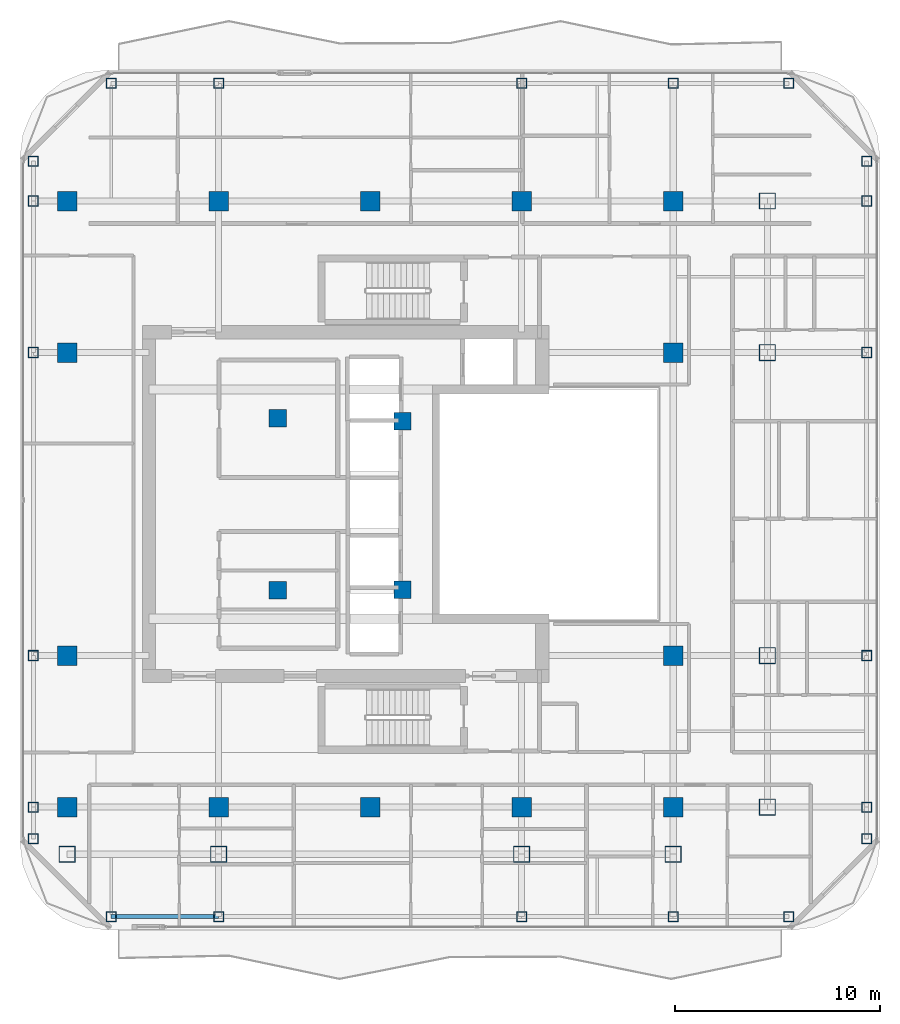
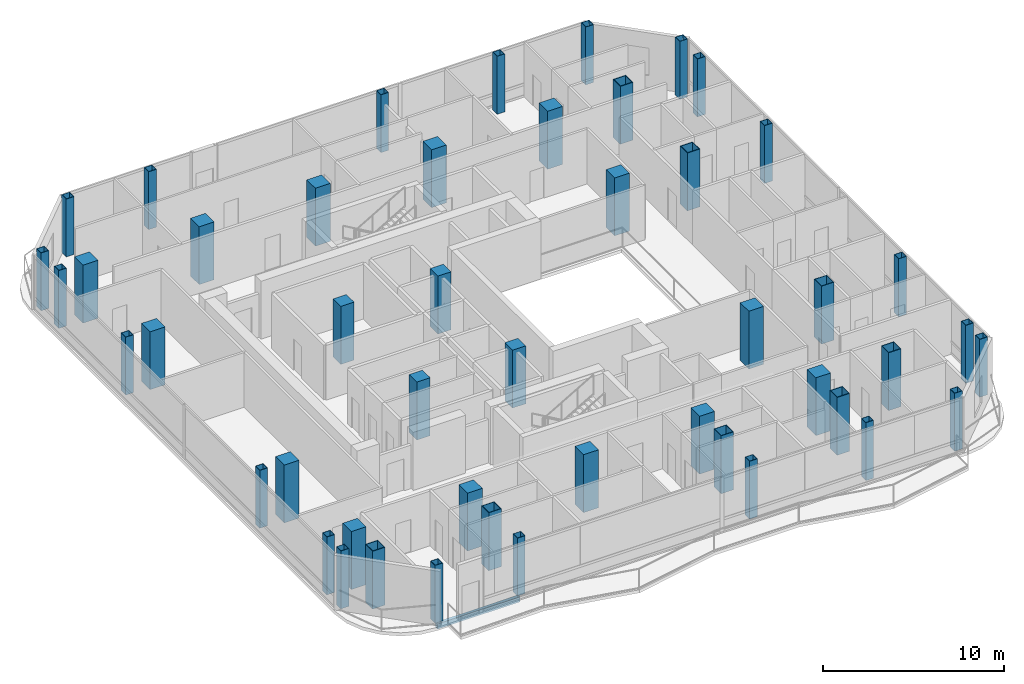
# One storey, part 1 of 24: 48 columns, 1 beam.
"""IFC4 building model written with IfcOpenShell, lengths in metres."""

import ifcopenshell
import ifcopenshell.guid

model = None  # the IFC model being written
_history = None  # IfcOwnerHistory: only IFC2X3 demands one
_inside = {}  # id of a spatial element -> (the spatial element, [elements in it])
_under = {}  # id of a project, library or spatial element -> (it, [spatial elements below it])
_declared = {}  # id of a project -> (the project, [libraries it declares])
_typed = {}  # id of a type object -> (the type object, [elements of that type])
_made_of = {}  # id of a material, layer set ... -> (it, [elements and type objects made of it])


def new_model(schema):
    """Start an empty IFC model of exactly this schema.

    Asked for "IFC4X3", IfcOpenShell would pick the latest addendum, in which some entities
    have other attributes; the version numbers below select the first issue.
    IFC2X3 requires an IfcOwnerHistory on every rooted entity: one is made here for all.
    """
    global model, _history
    if schema == "IFC4X3":
        model = ifcopenshell.file(schema_version=(4, 3, 0, 0))
    else:
        model = ifcopenshell.file(schema=schema)
    _inside.clear()
    _under.clear()
    _declared.clear()
    _typed.clear()
    _made_of.clear()
    _history = None
    if model.schema == "IFC2X3":
        org = make("IfcOrganization", Name="unknown")
        user = make(
            "IfcPersonAndOrganization",
            ThePerson=make("IfcPerson", FamilyName="unknown"),
            TheOrganization=org,
        )
        app = make(
            "IfcApplication",
            ApplicationDeveloper=org,
            Version="unknown",
            ApplicationFullName="unknown",
            ApplicationIdentifier="unknown",
        )
        _history = make(
            "IfcOwnerHistory",
            OwningUser=user,
            OwningApplication=app,
            ChangeAction="ADDED",
            CreationDate=0,
        )
    return model


def make(cls, **values):
    """One entity of the class cls with the attributes given. An attribute that is None is left unset."""
    return model.create_entity(
        cls, **{name: value for name, value in values.items() if value is not None}
    )


def rooted(cls, **values):
    """An entity with a GlobalId (a new one), such as an element, a storey or a relation."""
    return make(cls, GlobalId=ifcopenshell.guid.new(), OwnerHistory=_history, **values)


def si_unit(unit_type, name, prefix=None):
    """IfcSIUnit, for example si_unit("LENGTHUNIT", "METRE", prefix="MILLI")."""
    return make("IfcSIUnit", UnitType=unit_type, Prefix=prefix, Name=name)


def assignment(units):
    """IfcUnitAssignment: the units of a project."""
    return None if units is None else make("IfcUnitAssignment", Units=units)


def point(xyz):
    """IfcCartesianPoint."""
    return None if xyz is None else make("IfcCartesianPoint", Coordinates=xyz)


def direction(xyz):
    """IfcDirection."""
    return None if xyz is None else make("IfcDirection", DirectionRatios=xyz)


def frame(location, z_axis=None, x_axis=None):
    """IfcAxis2Placement3D, a coordinate frame: its origin and axes. An axis left out is left unset."""
    return make(
        "IfcAxis2Placement3D",
        Location=point(location),
        Axis=direction(z_axis),
        RefDirection=direction(x_axis),
    )


def frame_2d(location, x_axis=None):
    """IfcAxis2Placement2D, a coordinate frame in the plane: its origin and x axis."""
    return make(
        "IfcAxis2Placement2D", Location=point(location), RefDirection=direction(x_axis)
    )


def origin():
    """The frame at (0, 0, 0) with its axes left unset."""
    return frame((0.0, 0.0, 0.0))


def origin_2d():
    """The frame at (0, 0) in the plane with its x axis left unset."""
    return frame_2d((0.0, 0.0))


def place(relative_to, where):
    """IfcLocalPlacement: puts the frame where relative to a parent placement (None: the world)."""
    return make(
        "IfcLocalPlacement", PlacementRelTo=relative_to, RelativePlacement=where
    )


def context(
    kind, dimensions, precision=None, world=None, true_north=None, identifier=None
):
    """IfcGeometricRepresentationContext, for example the 3D "Model" context."""
    return make(
        "IfcGeometricRepresentationContext",
        ContextIdentifier=identifier,
        ContextType=kind,
        CoordinateSpaceDimension=dimensions,
        Precision=precision,
        WorldCoordinateSystem=world,
        TrueNorth=true_north,
    )


def subcontext(parent, identifier, kind, view, scale=None):
    """IfcGeometricRepresentationSubContext, for example "Body" below "Model"."""
    return make(
        "IfcGeometricRepresentationSubContext",
        ContextIdentifier=identifier,
        ContextType=kind,
        ParentContext=parent,
        TargetScale=scale,
        TargetView=view,
    )


def project(units=None, contexts=None):
    """IfcProject with its units and contexts."""
    return rooted(
        "IfcProject",
        Name="project",
        RepresentationContexts=contexts,
        UnitsInContext=assignment(units),
    )


def spatial(cls, under=None, at=None, **own):
    """A site, building, storey or space (cls), placed at a placement, below another one or the project."""
    s = rooted(cls, ObjectPlacement=at, **own)
    if under is not None:
        _under.setdefault(under.id(), (under, []))[1].append(s)
    return s


def profile(cls, at=None, kind="AREA", **sizes):
    """A parametric profile (cls). Its sizes go by their IFC names, for example OverallWidth=200.0."""
    return make(cls, ProfileType=kind, Position=at, **sizes)


def rectangle(**sizes):
    """IfcRectangleProfileDef."""
    return profile("IfcRectangleProfileDef", **sizes)


def hollow_rectangle(**sizes):
    """IfcRectangleHollowProfileDef."""
    return profile("IfcRectangleHollowProfileDef", **sizes)


def extrude(swept, where, along, depth):
    """IfcExtrudedAreaSolid: the profile swept, set in the frame where, extruded along a direction by depth."""
    return make(
        "IfcExtrudedAreaSolid",
        SweptArea=swept,
        Position=where,
        ExtrudedDirection=direction(along),
        Depth=depth,
    )


def shape(context_of_items, identifier, shape_type, items):
    """IfcShapeRepresentation: the items that make up one representation, for example the "Body"."""
    return make(
        "IfcShapeRepresentation",
        ContextOfItems=context_of_items,
        RepresentationIdentifier=identifier,
        RepresentationType=shape_type,
        Items=items,
    )


def material(Name=None, Category=None):
    """IfcMaterial."""
    return make("IfcMaterial", Name=Name, Category=Category)


def material_profile(
    of_material, cross_section, Name=None, Category=None, Priority=None
):
    """IfcMaterialProfile: a cross section and its material."""
    return make(
        "IfcMaterialProfile",
        Name=Name,
        Material=of_material,
        Profile=cross_section,
        Priority=Priority,
        Category=Category,
    )


def profile_set(profiles, Name=None, composite=None):
    """IfcMaterialProfileSet."""
    return make(
        "IfcMaterialProfileSet",
        Name=Name,
        MaterialProfiles=profiles,
        CompositeProfile=composite,
    )


def made_of(thing, what):
    """Note that an element or type object is made of a material, layer set ...; save() writes the relation."""
    if what is not None:
        _made_of.setdefault(what.id(), (what, []))[1].append(thing)
    return thing


def type_object(cls, material=None, **own):
    """A type object (cls), such as IfcWallType, which elements share."""
    return made_of(rooted(cls, **own), material)


def element(
    cls,
    number,
    at=None,
    inside=None,
    cuts=None,
    type_object=None,
    material=None,
    context=None,
    identifier="Body",
    shape_type=None,
    held_by="IfcProductDefinitionShape",
    body=None,
    shapes=None,
    **own,
):
    """One element of the class cls, such as IfcWall. Its Tag is "e" and its number.

    at: its placement. inside: the storey or other place that contains it. cuts: it is an
    opening in that element (IfcRelVoidsElement). A single representation is given by context,
    identifier, shape_type and body (its items); several are given by shapes. held_by: the class
    of the entity that holds the representations. save() writes the other relations.
    """
    e = rooted(cls, Tag="e%d" % number, ObjectPlacement=at, **own)
    if body is not None:
        shapes = [shape(context, identifier, shape_type, body)]
    if shapes is not None:
        e.Representation = make(held_by, Representations=shapes)
    if inside is not None:
        _inside.setdefault(inside.id(), (inside, []))[1].append(e)
    if cuts is not None:
        rooted(
            "IfcRelVoidsElement", RelatingBuildingElement=cuts, RelatedOpeningElement=e
        )
    if type_object is not None:
        _typed.setdefault(type_object.id(), (type_object, []))[1].append(e)
    return made_of(e, material)


def aggregate(whole, parts):
    """IfcRelAggregates: a whole, such as a stair, and the parts it consists of."""
    return rooted("IfcRelAggregates", RelatingObject=whole, RelatedObjects=parts)


def save(model, path):
    """Write the relations noted so far, then the file.

    IfcRelAggregates (storeys below a building ...), IfcRelContainedInSpatialStructure (elements
    in a storey), IfcRelDefinesByType, IfcRelAssociatesMaterial and IfcRelDeclares: one each for
    every whole, place, type object, material and project.
    """
    for whole, parts in _under.values():
        aggregate(whole, parts)
    for where, things in _inside.values():
        rooted(
            "IfcRelContainedInSpatialStructure",
            RelatedElements=things,
            RelatingStructure=where,
        )
    for kind, things in _typed.values():
        rooted("IfcRelDefinesByType", RelatedObjects=things, RelatingType=kind)
    for what, things in _made_of.values():
        rooted("IfcRelAssociatesMaterial", RelatedObjects=things, RelatingMaterial=what)
    for by, libraries in _declared.values():
        rooted("IfcRelDeclares", RelatingContext=by, RelatedDefinitions=libraries)
    model.write(path)


model = new_model("IFC4")

# Units and contexts
model_context = context("Model", 3, precision=1e-05, world=origin(), true_north=direction((0.0, 1.0)))
body_context = subcontext(model_context, "Body", "Model", "MODEL_VIEW")
ifc_project = project(units=[si_unit("LENGTHUNIT", "METRE"), si_unit("AREAUNIT", "SQUARE_METRE"), si_unit("VOLUMEUNIT", "CUBIC_METRE"), si_unit("PLANEANGLEUNIT", "RADIAN"), si_unit("MASSUNIT", "GRAM", prefix="KILO")], contexts=[model_context])

# Site, building, storey
site_placement = place(None, origin())
site = spatial("IfcSite", under=ifc_project, at=site_placement, CompositionType="ELEMENT")
building_placement = place(site_placement, origin())
building = spatial("IfcBuilding", under=site, at=building_placement, Name="Khorvyn Point Tower", CompositionType="ELEMENT")
storey_placement = place(building_placement, frame((0.0, 0.0, 266.39990234375)))
storey = spatial("IfcBuildingStorey", under=building, at=storey_placement, Name="L65", CompositionType="ELEMENT", Elevation=266.39990234375)

# Columns
ifc_material_1 = material(Name="Concrete C40/50", Category="concrete")
ifc_material_profile_1 = material_profile(ifc_material_1, rectangle(XDim=0.85009765625, YDim=0.85009765625, at=origin_2d()))
ifc_profile_set_1 = profile_set([ifc_material_profile_1], Name="Concrete C40/50 RC850x850")
column_type_1 = type_object("IfcColumnType", Name="Concrete C40/50 Column RC850x850", PredefinedType="COLUMN", material=ifc_profile_set_1)
for number, where, z_axis, x_axis, name in (
    (1, (-4.52001953125, -4.199951171875, 0.0), (0.0, 0.0, 1.0), (1.0, 0.0, 0.0), "L65 Crown Core Spine Column 1"),
    (2, (1.580078125, -4.179931640625, 0.0), (0.0, 0.0, 1.0), (1.0, 0.0, 0.0), "L65 Crown Core Spine Column 2"),
    (3, (1.580078125, 4.050048828125, 0.0), (0.0, 0.0, 1.0), (1.0, 0.0, 0.0), "L65 Crown Core Spine Column 3"),
    (4, (-4.52001953125, 4.199951171875, 0.0), (0.0, 0.0, 1.0), (1.0, 0.0, 0.0), "L65 Crown Core Spine Column 4"),
):
    element("IfcColumn", number, at=place(storey_placement, frame(where, z_axis=z_axis, x_axis=x_axis)), inside=storey, type_object=column_type_1, Name=name, PredefinedType="COLUMN", context=body_context, shape_type="SweptSolid", body=[
        extrude(rectangle(XDim=0.85009765625, YDim=0.85009765625, at=origin_2d()), origin(), (0.0, 0.0, 1.0), 3.900146484375),
    ])
ifc_material_profile_2 = material_profile(ifc_material_1, rectangle(XDim=0.949951171875, YDim=0.949951171875, at=origin_2d()))
ifc_profile_set_2 = profile_set([ifc_material_profile_2], Name="Concrete C40/50 RC950x950")
column_type_2 = type_object("IfcColumnType", Name="Concrete C40/50 Column RC950x950", PredefinedType="COLUMN", material=ifc_profile_set_2)
for number, where, z_axis, x_axis, name in (
    (5, (-14.800048828125, -14.800048828125, 0.0), (0.0, 0.0, 1.0), (1.0, 0.0, 0.0), "L65 Mega-Column MC-01"),
    (6, (-7.39990234375, -14.800048828125, 0.0), (0.0, 0.0, 1.0), (1.0, 0.0, 0.0), "L65 Mega-Column MC-02"),
    (7, (0.0, -14.800048828125, 0.0), (0.0, 0.0, 1.0), (1.0, 0.0, 0.0), "L65 Mega-Column MC-03"),
    (8, (7.39990234375, -14.800048828125, 0.0), (0.0, 0.0, 1.0), (1.0, 0.0, 0.0), "L65 Mega-Column MC-04"),
    (9, (14.800048828125, -14.800048828125, 0.0), (0.0, 0.0, 1.0), (1.0, 0.0, 0.0), "L65 Mega-Column MC-05"),
    (10, (-14.800048828125, 14.800048828125, 0.0), (0.0, 0.0, 1.0), (1.0, 0.0, 0.0), "L65 Mega-Column MC-06"),
    (11, (-7.39990234375, 14.800048828125, 0.0), (0.0, 0.0, 1.0), (1.0, 0.0, 0.0), "L65 Mega-Column MC-07"),
    (12, (0.0, 14.800048828125, 0.0), (0.0, 0.0, 1.0), (1.0, 0.0, 0.0), "L65 Mega-Column MC-08"),
    (13, (7.39990234375, 14.800048828125, 0.0), (0.0, 0.0, 1.0), (1.0, 0.0, 0.0), "L65 Mega-Column MC-09"),
    (14, (14.800048828125, 14.800048828125, 0.0), (0.0, 0.0, 1.0), (1.0, 0.0, 0.0), "L65 Mega-Column MC-10"),
    (15, (-14.800048828125, -7.39990234375, 0.0), (0.0, 0.0, 1.0), (1.0, 0.0, 0.0), "L65 Mega-Column MC-11"),
    (16, (-14.800048828125, 7.39990234375, 0.0), (0.0, 0.0, 1.0), (1.0, 0.0, 0.0), "L65 Mega-Column MC-12"),
    (17, (14.800048828125, -7.39990234375, 0.0), (0.0, 0.0, 1.0), (1.0, 0.0, 0.0), "L65 Mega-Column MC-13"),
    (18, (14.800048828125, 7.39990234375, 0.0), (0.0, 0.0, 1.0), (1.0, 0.0, 0.0), "L65 Mega-Column MC-14"),
):
    element("IfcColumn", number, at=place(storey_placement, frame(where, z_axis=z_axis, x_axis=x_axis)), inside=storey, type_object=column_type_2, Name=name, PredefinedType="COLUMN", context=body_context, shape_type="SweptSolid", body=[
        extrude(rectangle(XDim=0.949951171875, YDim=0.949951171875, at=origin_2d()), origin(), (0.0, 0.0, 1.0), 3.900146484375),
    ])
ifc_material_2 = material(Name="Steel S355", Category="steel")
ifc_material_profile_3 = material_profile(ifc_material_2, hollow_rectangle(XDim=0.5, YDim=0.5, WallThickness=0.02490234375, at=origin_2d()))
ifc_profile_set_3 = profile_set([ifc_material_profile_3], Name="Steel S355 BOX500x500x25")
column_type_3 = type_object("IfcColumnType", Name="Steel S355 Structural Column BOX500x500x25", PredefinedType="COLUMN", material=ifc_profile_set_3)
for number, where, z_axis, x_axis, name in (
    (19, (-12.64990234375, -20.14990234375, 0.0), (0.0, 0.0, 1.0), (1.0, 0.0, 0.0), "L65 Perimeter Tube Column TC-01"),
    (20, (20.449951171875, -20.14990234375, 0.0), (0.0, 0.0, 1.0), (1.0, 0.0, 0.0), "L65 Perimeter Tube Column TC-02"),
    (21, (-12.64990234375, 20.550048828125, 0.0), (0.0, 0.0, 1.0), (1.0, 0.0, 0.0), "L65 Perimeter Tube Column TC-03"),
    (22, (20.449951171875, 20.550048828125, 0.0), (0.0, 0.0, 1.0), (1.0, 0.0, 0.0), "L65 Perimeter Tube Column TC-04"),
    (23, (-16.449951171875, -16.35009765625, 0.0), (0.0, 0.0, 1.0), (1.0, 0.0, 0.0), "L65 Perimeter Tube Column TC-05"),
    (24, (-16.449951171875, 16.75, 0.0), (0.0, 0.0, 1.0), (1.0, 0.0, 0.0), "L65 Perimeter Tube Column TC-06"),
    (25, (24.25, -16.35009765625, 0.0), (0.0, 0.0, 1.0), (1.0, 0.0, 0.0), "L65 Perimeter Tube Column TC-07"),
    (26, (24.25, 16.75, 0.0), (0.0, 0.0, 1.0), (1.0, 0.0, 0.0), "L65 Perimeter Tube Column TC-08"),
    (27, (-7.39990234375, -20.14990234375, 0.0), (0.0, 0.0, 1.0), (1.0, 0.0, 0.0), "L65 Perimeter Tube Column TC-09"),
    (28, (-7.39990234375, 20.550048828125, 0.0), (0.0, 0.0, 1.0), (1.0, 0.0, 0.0), "L65 Perimeter Tube Column TC-10"),
    (29, (7.39990234375, -20.14990234375, 0.0), (0.0, 0.0, 1.0), (1.0, 0.0, 0.0), "L65 Perimeter Tube Column TC-11"),
    (30, (7.39990234375, 20.550048828125, 0.0), (0.0, 0.0, 1.0), (1.0, 0.0, 0.0), "L65 Perimeter Tube Column TC-12"),
    (31, (14.800048828125, -20.14990234375, 0.0), (0.0, 0.0, 1.0), (1.0, 0.0, 0.0), "L65 Perimeter Tube Column TC-13"),
    (32, (14.800048828125, 20.550048828125, 0.0), (0.0, 0.0, 1.0), (1.0, 0.0, 0.0), "L65 Perimeter Tube Column TC-14"),
    (33, (-16.449951171875, -14.800048828125, 0.0), (0.0, 0.0, 1.0), (1.0, 0.0, 0.0), "L65 Perimeter Tube Column TC-15"),
    (34, (24.25, -14.800048828125, 0.0), (0.0, 0.0, 1.0), (1.0, 0.0, 0.0), "L65 Perimeter Tube Column TC-16"),
    (35, (-16.449951171875, -7.39990234375, 0.0), (0.0, 0.0, 1.0), (1.0, 0.0, 0.0), "L65 Perimeter Tube Column TC-17"),
    (36, (24.25, -7.39990234375, 0.0), (0.0, 0.0, 1.0), (1.0, 0.0, 0.0), "L65 Perimeter Tube Column TC-18"),
    (37, (-16.449951171875, 7.39990234375, 0.0), (0.0, 0.0, 1.0), (1.0, 0.0, 0.0), "L65 Perimeter Tube Column TC-19"),
    (38, (24.25, 7.39990234375, 0.0), (0.0, 0.0, 1.0), (1.0, 0.0, 0.0), "L65 Perimeter Tube Column TC-20"),
    (39, (-16.449951171875, 14.800048828125, 0.0), (0.0, 0.0, 1.0), (1.0, 0.0, 0.0), "L65 Perimeter Tube Column TC-21"),
    (40, (24.25, 14.800048828125, 0.0), (0.0, 0.0, 1.0), (1.0, 0.0, 0.0), "L65 Perimeter Tube Column TC-22"),
):
    element("IfcColumn", number, at=place(storey_placement, frame(where, z_axis=z_axis, x_axis=x_axis)), inside=storey, type_object=column_type_3, Name=name, PredefinedType="COLUMN", context=body_context, shape_type="SweptSolid", body=[
        extrude(hollow_rectangle(XDim=0.5, YDim=0.5, WallThickness=0.02490234375, at=origin_2d()), origin(), (0.0, 0.0, 1.0), 3.900146484375),
    ])
ifc_material_3 = material(Name="Steel S450", Category="steel")
ifc_material_profile_4 = material_profile(ifc_material_3, hollow_rectangle(XDim=0.800048828125, YDim=0.800048828125, WallThickness=0.035888671875, at=origin_2d()))
ifc_profile_set_4 = profile_set([ifc_material_profile_4], Name="Steel S450 BOX800x800x36")
column_type_4 = type_object("IfcColumnType", Name="Steel S450 Structural Column BOX800x800x36", PredefinedType="COLUMN", material=ifc_profile_set_4)
for number, where, z_axis, x_axis, name in (
    (41, (19.39990234375, -14.800048828125, 0.0), (0.0, 0.0, 1.0), (1.0, 0.0, 0.0), "L65 Intermediate Column ICE--14"),
    (42, (19.39990234375, -7.39990234375, 0.0), (0.0, 0.0, 1.0), (1.0, 0.0, 0.0), "L65 Intermediate Column ICE--7"),
    (43, (19.39990234375, 7.39990234375, 0.0), (0.0, 0.0, 1.0), (1.0, 0.0, 0.0), "L65 Intermediate Column ICE-7"),
    (44, (19.39990234375, 14.800048828125, 0.0), (0.0, 0.0, 1.0), (1.0, 0.0, 0.0), "L65 Intermediate Column ICE-14"),
    (45, (-14.800048828125, -17.10009765625, 0.0), (0.0, 0.0, 1.0), (1.0, 0.0, 0.0), "L65 Intermediate Column ICS--14"),
    (46, (-7.39990234375, -17.10009765625, 0.0), (0.0, 0.0, 1.0), (1.0, 0.0, 0.0), "L65 Intermediate Column ICS--7"),
    (47, (7.39990234375, -17.10009765625, 0.0), (0.0, 0.0, 1.0), (1.0, 0.0, 0.0), "L65 Intermediate Column ICS-7"),
    (48, (14.800048828125, -17.10009765625, 0.0), (0.0, 0.0, 1.0), (1.0, 0.0, 0.0), "L65 Intermediate Column ICS-14"),
):
    element("IfcColumn", number, at=place(storey_placement, frame(where, z_axis=z_axis, x_axis=x_axis)), inside=storey, type_object=column_type_4, Name=name, PredefinedType="COLUMN", context=body_context, shape_type="SweptSolid", body=[
        extrude(hollow_rectangle(XDim=0.800048828125, YDim=0.800048828125, WallThickness=0.035888671875, at=origin_2d()), origin(), (0.0, 0.0, 1.0), 3.900146484375),
    ])

# Beam
ifc_material_profile_5 = material_profile(ifc_material_2, hollow_rectangle(XDim=0.199951171875, YDim=0.35009765625, WallThickness=0.013916015625, at=origin_2d()))
ifc_profile_set_5 = profile_set([ifc_material_profile_5], Name="Steel S355 RHS350x200x14")
beam_type = type_object("IfcBeamType", Name="Steel S355 Spandrel RHS350x200x14", PredefinedType="SPANDREL", material=ifc_profile_set_5)
beam_placement = place(storey_placement, frame((-12.64990234375, -20.14990234375, -0.39501953125), z_axis=(1.0, 0.0, 0.0), x_axis=(0.0, 1.0, 0.0)))
element("IfcBeam", 49, at=beam_placement, inside=storey, type_object=beam_type, Name="Beam", PredefinedType="SPANDREL", context=body_context, shape_type="SweptSolid", body=[
    extrude(hollow_rectangle(XDim=0.199951171875, YDim=0.35009765625, WallThickness=0.013916015625, at=origin_2d()), origin(), (0.0, 0.0, 1.0), 5.25),
])

save(model, "model.ifc")
